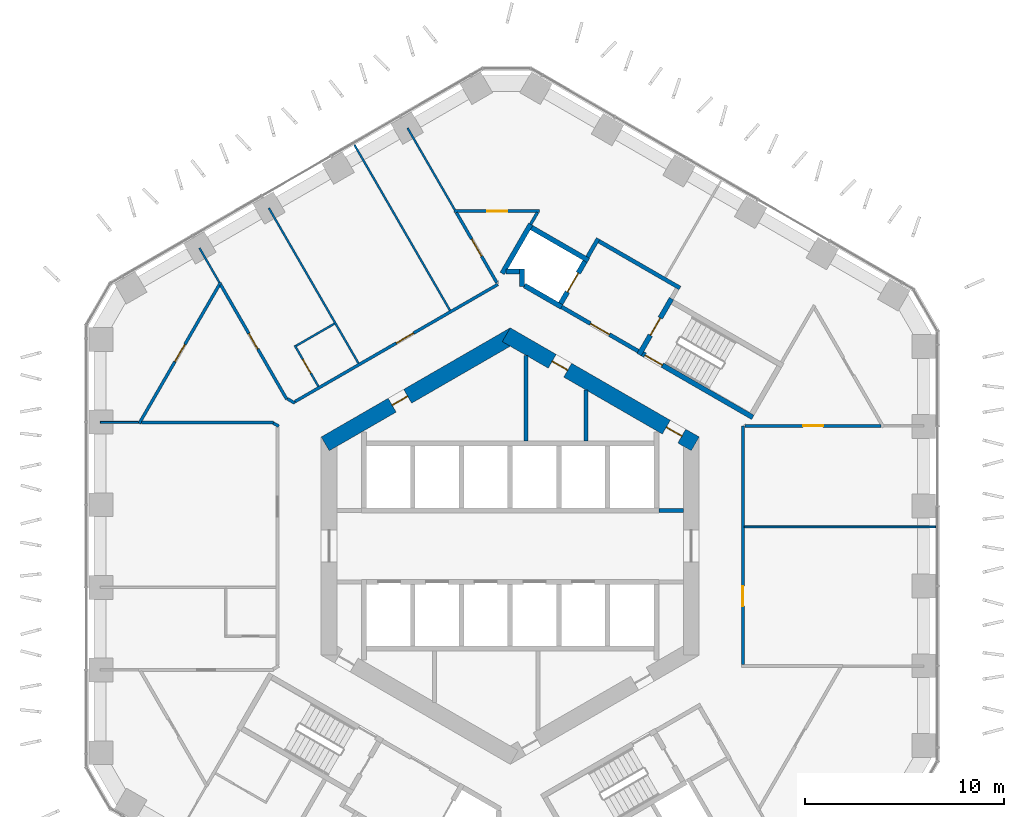
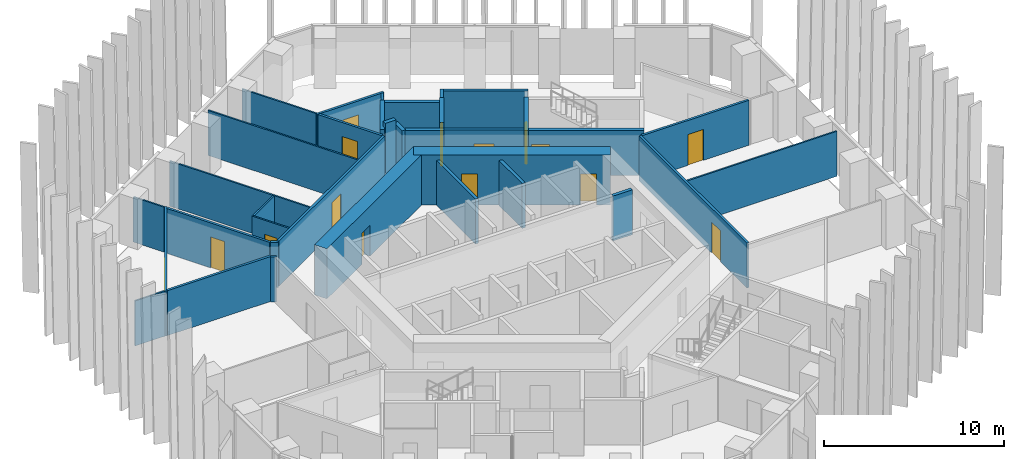
# One storey, part 15 of 20: 35 walls, 15 doors, 15 openings.
"""IFC4 building model written with IfcOpenShell, lengths in metres."""

from ifc_helpers import new_model, si_unit, direction, frame, frame_2d, origin, place, context, subcontext, project, spatial, rectangle, extrude, material, layer, layer_set, type_object, element, fill, save


model = new_model("IFC4")

# Units and contexts
model_context = context("Model", 3, precision=1e-05, world=origin(), true_north=direction((0.0, 1.0)))
body_context = subcontext(model_context, "Body", "Model", "MODEL_VIEW")
ifc_project = project(units=[si_unit("LENGTHUNIT", "METRE"), si_unit("AREAUNIT", "SQUARE_METRE"), si_unit("VOLUMEUNIT", "CUBIC_METRE"), si_unit("PLANEANGLEUNIT", "RADIAN"), si_unit("MASSUNIT", "GRAM", prefix="KILO")], contexts=[model_context])

# Site, building, storey
site_placement = place(None, origin())
site = spatial("IfcSite", under=ifc_project, at=site_placement, CompositionType="ELEMENT")
building_placement = place(site_placement, origin())
building = spatial("IfcBuilding", under=site, at=building_placement, Name="Ayvan Gate Tower", CompositionType="ELEMENT")
storey_placement = place(building_placement, frame((0.0, 0.0, 35.699951171875)))
storey = spatial("IfcBuildingStorey", under=building, at=storey_placement, Name="L08", CompositionType="ELEMENT", Elevation=35.699951171875)

# Wall, openings, doors
ifc_material_1 = material(Name="Concrete C70/85", Category="concrete")
ifc_layer_1 = layer(ifc_material_1, 0.800048828125)
ifc_layer_set_1 = layer_set([ifc_layer_1], Name="Concrete C70/85")
wall_type_1 = type_object("IfcWallType", Name="Core wall 800 C70/85", PredefinedType="SHEAR", material=ifc_layer_set_1)
wall_1_placement = place(storey_placement, frame((9.300048828125, 5.138427734375, 0.0), z_axis=(0.0, 0.0, 1.0), x_axis=(-0.866023993627, 0.500002442456, 0.0)))
wall_1 = element("IfcWall", 1, at=wall_1_placement, inside=storey, type_object=wall_type_1, Name="CORE-L08-1", PredefinedType="SHEAR", context=body_context, shape_type="SweptSolid", body=[
    extrude(rectangle(XDim=10.9697265625, YDim=0.800048828125, at=frame_2d((5.48486328125, 0.0))), origin(), (0.0, 0.0, 1.0), 3.400146484375),
])
opening_1_placement = place(wall_1_placement, frame((7.402587890625, 0.0, 0.0)))
opening_1 = element("IfcOpeningElement", 2, at=opening_1_placement, cuts=wall_1, Name="Opening L08-D38", PredefinedType="OPENING", context=body_context, shape_type="SweptSolid", body=[
    extrude(rectangle(XDim=0.89990234375, YDim=2.10009765625, at=frame_2d((0.449951171875, 1.050048828125))), frame((0.0, 0.409912109375, 0.0), z_axis=(0.0, -1.0, 0.0), x_axis=(1.0, 0.0, 0.0)), (0.0, 0.0, 1.0), 0.820068359375),
])
opening_2_placement = place(wall_1_placement, frame((0.779541015625, 0.0, 0.0)))
opening_2 = element("IfcOpeningElement", 3, at=opening_2_placement, cuts=wall_1, Name="Opening L08-D39", PredefinedType="OPENING", context=body_context, shape_type="SweptSolid", body=[
    extrude(rectangle(XDim=0.89990234375, YDim=2.10009765625, at=frame_2d((0.449951171875, 1.050048828125))), frame((0.0, 0.409912109375, 0.0), z_axis=(0.0, -1.0, 0.0), x_axis=(1.0, 0.0, 0.0)), (0.0, 0.0, 1.0), 0.820068359375),
])
ifc_material_2 = material(Name="Timber door leaf", Category="wood")
door_type_1 = type_object("IfcDoorType", Name="DT-900", OperationType="NOTDEFINED", PredefinedType="DOOR", material=ifc_material_2)
door_1_placement = place(opening_1_placement, origin())
door_1 = element("IfcDoor", 4, at=door_1_placement, inside=storey, type_object=door_type_1, Name="CD-L08-38", OperationType="SINGLE_SWING_RIGHT", OverallHeight=2.10009765625, OverallWidth=0.89990234375, PredefinedType="DOOR", context=body_context, shape_type="SweptSolid", body=[
    extrude(rectangle(XDim=0.89990234375, YDim=2.10009765625, at=frame_2d((0.449951171875, 1.050048828125))), frame((0.0, 0.02490234375, 0.0), z_axis=(0.0, -1.0, 0.0), x_axis=(1.0, 0.0, 0.0)), (0.0, 0.0, 1.0), 0.050048828125),
])
fill(opening_1, door_1)
door_2_placement = place(opening_2_placement, origin())
door_2 = element("IfcDoor", 5, at=door_2_placement, inside=storey, type_object=door_type_1, Name="CD-L08-39", OperationType="SINGLE_SWING_LEFT", OverallHeight=2.10009765625, OverallWidth=0.89990234375, PredefinedType="DOOR", context=body_context, shape_type="SweptSolid", body=[
    extrude(rectangle(XDim=0.89990234375, YDim=2.10009765625, at=frame_2d((0.449951171875, 1.050048828125))), frame((0.0, 0.02490234375, 0.0), z_axis=(0.0, -1.0, 0.0), x_axis=(1.0, 0.0, 0.0)), (0.0, 0.0, 1.0), 0.050048828125),
])
fill(opening_2, door_2)

# Wall, opening, door
wall_2_placement = place(storey_placement, frame((0.199951171875, 10.623291015625, 0.0), z_axis=(0.0, 0.0, 1.0), x_axis=(-0.866023993627, -0.500002442456, 0.0)))
wall_2 = element("IfcWall", 6, at=wall_2_placement, inside=storey, type_object=wall_type_1, Name="CORE-L08-2", PredefinedType="SHEAR", context=body_context, shape_type="SweptSolid", body=[
    extrude(rectangle(XDim=10.9697265625, YDim=0.800048828125, at=frame_2d((5.48486328125, 0.0))), origin(), (0.0, 0.0, 1.0), 3.400146484375),
])
opening_3_placement = place(wall_2_placement, frame((6.184814453125, 0.0, 0.0)))
opening_3 = element("IfcOpeningElement", 7, at=opening_3_placement, cuts=wall_2, Name="Opening L08-D37", PredefinedType="OPENING", context=body_context, shape_type="SweptSolid", body=[
    extrude(rectangle(XDim=0.89990234375, YDim=2.10009765625, at=frame_2d((0.449951171875, 1.050048828125))), frame((0.0, 0.409912109375, 0.0), z_axis=(0.0, -1.0, 0.0), x_axis=(1.0, 0.0, 0.0)), (0.0, 0.0, 1.0), 0.820068359375),
])
door_3_placement = place(opening_3_placement, origin())
door_3 = element("IfcDoor", 8, at=door_3_placement, inside=storey, type_object=door_type_1, Name="CD-L08-37", OperationType="SINGLE_SWING_LEFT", OverallHeight=2.10009765625, OverallWidth=0.89990234375, PredefinedType="DOOR", context=body_context, shape_type="SweptSolid", body=[
    extrude(rectangle(XDim=0.89990234375, YDim=2.10009765625, at=frame_2d((0.449951171875, 1.050048828125))), frame((0.0, 0.02490234375, 0.0), z_axis=(0.0, -1.0, 0.0), x_axis=(1.0, 0.0, 0.0)), (0.0, 0.0, 1.0), 0.050048828125),
])
fill(opening_3, door_3)

ifc_material_3 = material(Name="Plasterboard on steel stud", Category="steel")
ifc_layer_2 = layer(ifc_material_3, 0.14990234375)
ifc_layer_set_2 = layer_set([ifc_layer_2], Name="Plasterboard on steel stud")
wall_type_2 = type_object("IfcWallType", Name="WT-CORR-150", PredefinedType="PARTITIONING", material=ifc_layer_set_2)
wall_3_placement = place(storey_placement, frame((-18.6533203125, 6.157470703125, 0.0), z_axis=(0.0, 0.0, 1.0), x_axis=(0.499990428537, 0.866030929801, 0.0)))
wall_3 = element("IfcWall", 9, at=wall_3_placement, inside=storey, type_object=wall_type_2, Name="IW-L08-001", PredefinedType="PARTITIONING", context=body_context, shape_type="SweptSolid", body=[
    extrude(rectangle(XDim=8.201904296875, YDim=0.14990234375, at=frame_2d((4.10107421875, 0.0))), origin(), (0.0, 0.0, 1.0), 3.050048828125),
])
opening_4_placement = place(wall_3_placement, frame((3.60107421875, 0.0, 0.0)))
opening_4 = element("IfcOpeningElement", 10, at=opening_4_placement, cuts=wall_3, Name="Opening L08-D21", PredefinedType="OPENING", context=body_context, shape_type="SweptSolid", body=[
    extrude(rectangle(XDim=1.0, YDim=2.10009765625, at=frame_2d((0.5, 1.050048828125))), frame((0.0, 0.0849609375, 0.0), z_axis=(0.0, -1.0, 0.0), x_axis=(1.0, 0.0, 0.0)), (0.0, 0.0, 1.0), 0.169921875),
])
door_type_2 = type_object("IfcDoorType", Name="DT-1000", OperationType="NOTDEFINED", PredefinedType="DOOR", material=ifc_material_2)
door_4_placement = place(opening_4_placement, origin())
door_4 = element("IfcDoor", 11, at=door_4_placement, inside=storey, type_object=door_type_2, Name="ID-L08-021", OperationType="SINGLE_SWING_LEFT", OverallHeight=2.10009765625, OverallWidth=1.0, PredefinedType="DOOR", context=body_context, shape_type="SweptSolid", body=[
    extrude(rectangle(XDim=1.0, YDim=2.10009765625, at=frame_2d((0.5, 1.050048828125))), frame((0.0, 0.02490234375, 0.0), z_axis=(0.0, -1.0, 0.0), x_axis=(1.0, 0.0, 0.0)), (0.0, 0.0, 1.0), 0.050048828125),
])
fill(opening_4, door_4)

wall_4_placement = place(storey_placement, frame((-14.552490234375, 13.130615234375, 0.0), z_axis=(0.0, 0.0, 1.0), x_axis=(0.500011064058, -0.866019015853, 0.0)))
wall_4 = element("IfcWall", 12, at=wall_4_placement, inside=storey, type_object=wall_type_2, Name="IW-L08-009", PredefinedType="PARTITIONING", context=body_context, shape_type="SweptSolid", body=[
    extrude(rectangle(XDim=6.638916015625, YDim=0.14990234375, at=frame_2d((3.3193359375, 0.0))), origin(), (0.0, 0.0, 1.0), 3.050048828125),
])
opening_5_placement = place(wall_4_placement, frame((2.83203125, 0.0, 0.0)))
opening_5 = element("IfcOpeningElement", 13, at=opening_5_placement, cuts=wall_4, Name="Opening L08-D35", PredefinedType="OPENING", context=body_context, shape_type="SweptSolid", body=[
    extrude(rectangle(XDim=0.89990234375, YDim=2.10009765625, at=frame_2d((0.449951171875, 1.050048828125))), frame((0.0, 0.0849609375, 0.0), z_axis=(0.0, -1.0, 0.0), x_axis=(1.0, 0.0, 0.0)), (0.0, 0.0, 1.0), 0.169921875),
])
door_5_placement = place(opening_5_placement, origin())
door_5 = element("IfcDoor", 14, at=door_5_placement, inside=storey, type_object=door_type_1, Name="ID-L08-035", OperationType="SINGLE_SWING_LEFT", OverallHeight=2.10009765625, OverallWidth=0.89990234375, PredefinedType="DOOR", context=body_context, shape_type="SweptSolid", body=[
    extrude(rectangle(XDim=0.89990234375, YDim=2.10009765625, at=frame_2d((0.449951171875, 1.050048828125))), frame((0.0, 0.02490234375, 0.0), z_axis=(0.0, -1.0, 0.0), x_axis=(1.0, 0.0, 0.0)), (0.0, 0.0, 1.0), 0.050048828125),
])
fill(opening_5, door_5)

# Walls
wall_5_placement = place(storey_placement, frame((-11.902587890625, 6.222412109375, 0.0), z_axis=(0.0, 0.0, 1.0), x_axis=(-1.0, 0.0, 0.0)))
element("IfcWall", 15, at=wall_5_placement, inside=storey, type_object=wall_type_2, Name="IW-L08-016", PredefinedType="PARTITIONING", context=body_context, shape_type="SweptSolid", body=[
    extrude(rectangle(XDim=6.638427734375, YDim=0.14990234375, at=frame_2d((3.3193359375, 0.0))), origin(), (0.0, 0.0, 1.0), 3.050048828125),
])
wall_6_placement = place(storey_placement, frame((-11.635009765625, 6.024658203125, 0.0), z_axis=(0.0, 0.0, 1.0), x_axis=(-0.866172903102, 0.499744436618, 0.0)))
element("IfcWall", 16, at=wall_6_placement, inside=storey, type_object=wall_type_2, Name="IW-L08-018", PredefinedType="PARTITIONING", context=body_context, shape_type="SweptSolid", body=[
    extrude(rectangle(XDim=0.320556640625, YDim=0.14990234375, at=frame_2d((0.16015625, 0.0))), origin(), (0.0, 0.0, 1.0), 3.050048828125),
])
wall_7_placement = place(storey_placement, frame((-11.205810546875, 7.407958984375, 0.0), z_axis=(0.0, 0.0, 1.0), x_axis=(0.860849270889, -0.508860032631, 0.0)))
element("IfcWall", 17, at=wall_7_placement, inside=storey, type_object=wall_type_2, Name="IW-L08-020", PredefinedType="PARTITIONING", context=body_context, shape_type="SweptSolid", body=[
    extrude(rectangle(XDim=0.4404296875, YDim=0.14990234375, at=frame_2d((0.22021484375, 0.0))), origin(), (0.0, 0.0, 1.0), 3.050048828125),
])

# Wall, opening, door
wall_8_placement = place(storey_placement, frame((-10.826171875, 7.259521484375, 0.0), z_axis=(0.0, 0.0, 1.0), x_axis=(0.866022388473, 0.500005222637, 0.0)))
wall_8 = element("IfcWall", 18, at=wall_8_placement, inside=storey, type_object=wall_type_2, Name="IW-L08-022", PredefinedType="PARTITIONING", context=body_context, shape_type="SweptSolid", body=[
    extrude(rectangle(XDim=11.783447265625, YDim=0.14990234375, at=frame_2d((5.8916015625, 0.0))), origin(), (0.0, 0.0, 1.0), 3.050048828125),
])
opening_6_placement = place(wall_8_placement, frame((5.889892578125, 0.0, 0.0)))
opening_6 = element("IfcOpeningElement", 19, at=opening_6_placement, cuts=wall_8, Name="Opening L08-D34", PredefinedType="OPENING", context=body_context, shape_type="SweptSolid", body=[
    extrude(rectangle(XDim=1.0, YDim=2.10009765625, at=frame_2d((0.5, 1.050048828125))), frame((0.0, 0.0849609375, 0.0), z_axis=(0.0, -1.0, 0.0), x_axis=(1.0, 0.0, 0.0)), (0.0, 0.0, 1.0), 0.169921875),
])
door_6_placement = place(opening_6_placement, origin())
door_6 = element("IfcDoor", 20, at=door_6_placement, inside=storey, type_object=door_type_2, Name="ID-L08-034", OperationType="SINGLE_SWING_RIGHT", OverallHeight=2.10009765625, OverallWidth=1.0, PredefinedType="DOOR", context=body_context, shape_type="SweptSolid", body=[
    extrude(rectangle(XDim=1.0, YDim=2.10009765625, at=frame_2d((0.5, 1.050048828125))), frame((0.0, 0.02490234375, 0.0), z_axis=(0.0, -1.0, 0.0), x_axis=(1.0, 0.0, 0.0)), (0.0, 0.0, 1.0), 0.050048828125),
])
fill(opening_6, door_6)

wall_9_placement = place(storey_placement, frame((-2.822265625, 16.8330078125, 0.0), z_axis=(0.0, 0.0, 1.0), x_axis=(1.0, 0.0, 0.0)))
wall_9 = element("IfcWall", 21, at=wall_9_placement, inside=storey, type_object=wall_type_2, Name="IW-L08-052", PredefinedType="PARTITIONING", context=body_context, shape_type="SweptSolid", body=[
    extrude(rectangle(XDim=4.302001953125, YDim=0.14990234375, at=frame_2d((2.15087890625, 0.0))), origin(), (0.0, 0.0, 1.0), 3.050048828125),
])
opening_7_placement = place(wall_9_placement, frame((1.668212890625, 0.0, 0.0)))
opening_7 = element("IfcOpeningElement", 22, at=opening_7_placement, cuts=wall_9, Name="Opening L08-D20", PredefinedType="OPENING", context=body_context, shape_type="SweptSolid", body=[
    extrude(rectangle(XDim=1.0, YDim=2.10009765625, at=frame_2d((0.5, 1.050048828125))), frame((0.0, 0.0849609375, 0.0), z_axis=(0.0, -1.0, 0.0), x_axis=(1.0, 0.0, 0.0)), (0.0, 0.0, 1.0), 0.169921875),
])
door_7_placement = place(opening_7_placement, origin())
door_7 = element("IfcDoor", 23, at=door_7_placement, inside=storey, type_object=door_type_2, Name="ID-L08-020", OperationType="SINGLE_SWING_RIGHT", OverallHeight=2.10009765625, OverallWidth=1.0, PredefinedType="DOOR", context=body_context, shape_type="SweptSolid", body=[
    extrude(rectangle(XDim=1.0, YDim=2.10009765625, at=frame_2d((0.5, 1.050048828125))), frame((0.0, 0.02490234375, 0.0), z_axis=(0.0, -1.0, 0.0), x_axis=(1.0, 0.0, 0.0)), (0.0, 0.0, 1.0), 0.050048828125),
])
fill(opening_7, door_7)

wall_10_placement = place(storey_placement, frame((-0.671142578125, 13.2373046875, 0.0), z_axis=(0.0, 0.0, 1.0), x_axis=(-0.499990257196, 0.866031028722, 0.0)))
wall_10 = element("IfcWall", 24, at=wall_10_placement, inside=storey, type_object=wall_type_2, Name="IW-L08-059", PredefinedType="PARTITIONING", context=body_context, shape_type="SweptSolid", body=[
    extrude(rectangle(XDim=4.0771484375, YDim=0.14990234375, at=frame_2d((2.03857421875, 0.0))), origin(), (0.0, 0.0, 1.0), 3.050048828125),
])
opening_8_placement = place(wall_10_placement, frame((1.53857421875, 0.0, 0.0)))
opening_8 = element("IfcOpeningElement", 25, at=opening_8_placement, cuts=wall_10, Name="Opening L08-D33", PredefinedType="OPENING", context=body_context, shape_type="SweptSolid", body=[
    extrude(rectangle(XDim=1.0, YDim=2.10009765625, at=frame_2d((0.5, 1.050048828125))), frame((0.0, 0.0849609375, 0.0), z_axis=(0.0, -1.0, 0.0), x_axis=(1.0, 0.0, 0.0)), (0.0, 0.0, 1.0), 0.169921875),
])
door_8_placement = place(opening_8_placement, origin())
door_8 = element("IfcDoor", 26, at=door_8_placement, inside=storey, type_object=door_type_2, Name="ID-L08-033", OperationType="SINGLE_SWING_LEFT", OverallHeight=2.10009765625, OverallWidth=1.0, PredefinedType="DOOR", context=body_context, shape_type="SweptSolid", body=[
    extrude(rectangle(XDim=1.0, YDim=2.10009765625, at=frame_2d((0.5, 1.050048828125))), frame((0.0, 0.02490234375, 0.0), z_axis=(0.0, -1.0, 0.0), x_axis=(1.0, 0.0, 0.0)), (0.0, 0.0, 1.0), 0.050048828125),
])
fill(opening_8, door_8)

# Wall
wall_11_placement = place(storey_placement, frame((1.3671875, 16.768310546875, 0.0), z_axis=(0.0, 0.0, 1.0), x_axis=(-0.499805281321, -0.866137795483, 0.0)))
element("IfcWall", 27, at=wall_11_placement, inside=storey, type_object=wall_type_2, Name="IW-L08-071", PredefinedType="PARTITIONING", context=body_context, shape_type="SweptSolid", body=[
    extrude(rectangle(XDim=0.680419921875, YDim=0.14990234375, at=frame_2d((0.34033203125, 0.0))), origin(), (0.0, 0.0, 1.0), 3.050048828125),
])

# Wall, opening, door
wall_12_placement = place(storey_placement, frame((11.699951171875, -5.96240234375, 0.0), z_axis=(0.0, 0.0, 1.0), x_axis=(0.0, 1.0, 0.0)))
wall_12 = element("IfcWall", 28, at=wall_12_placement, inside=storey, type_object=wall_type_2, Name="IW-L08-106", PredefinedType="PARTITIONING", context=body_context, shape_type="SweptSolid", body=[
    extrude(rectangle(XDim=12.0, YDim=0.14990234375, at=frame_2d((6.0, 0.0))), origin(), (0.0, 0.0, 1.0), 3.050048828125),
])
opening_9_placement = place(wall_12_placement, frame((2.94921875, 0.0, 0.0)))
opening_9 = element("IfcOpeningElement", 29, at=opening_9_placement, cuts=wall_12, Name="Opening L08-D17", PredefinedType="OPENING", context=body_context, shape_type="SweptSolid", body=[
    extrude(rectangle(XDim=1.0, YDim=2.10009765625, at=frame_2d((0.5, 1.050048828125))), frame((0.0, 0.0849609375, 0.0), z_axis=(0.0, -1.0, 0.0), x_axis=(1.0, 0.0, 0.0)), (0.0, 0.0, 1.0), 0.169921875),
])
door_9_placement = place(opening_9_placement, origin())
door_9 = element("IfcDoor", 30, at=door_9_placement, inside=storey, type_object=door_type_2, Name="ID-L08-017", OperationType="SINGLE_SWING_LEFT", OverallHeight=2.10009765625, OverallWidth=1.0, PredefinedType="DOOR", context=body_context, shape_type="SweptSolid", body=[
    extrude(rectangle(XDim=1.0, YDim=2.10009765625, at=frame_2d((0.5, 1.050048828125))), frame((0.0, 0.02490234375, 0.0), z_axis=(0.0, -1.0, 0.0), x_axis=(1.0, 0.0, 0.0)), (0.0, 0.0, 1.0), 0.050048828125),
])
fill(opening_9, door_9)

wall_13_placement = place(storey_placement, frame((18.647705078125, 6.037353515625, 0.0), z_axis=(0.0, 0.0, 1.0), x_axis=(-1.0, 0.0, 0.0)))
wall_13 = element("IfcWall", 31, at=wall_13_placement, inside=storey, type_object=wall_type_2, Name="IW-L08-116", PredefinedType="PARTITIONING", context=body_context, shape_type="SweptSolid", body=[
    extrude(rectangle(XDim=6.84814453125, YDim=0.14990234375, at=frame_2d((3.424072265625, 0.0))), origin(), (0.0, 0.0, 1.0), 3.050048828125),
])
opening_10_placement = place(wall_13_placement, frame((2.924072265625, 0.0, 0.0)))
opening_10 = element("IfcOpeningElement", 32, at=opening_10_placement, cuts=wall_13, Name="Opening L08-D18", PredefinedType="OPENING", context=body_context, shape_type="SweptSolid", body=[
    extrude(rectangle(XDim=1.0, YDim=2.10009765625, at=frame_2d((0.5, 1.050048828125))), frame((0.0, 0.0849609375, 0.0), z_axis=(0.0, -1.0, 0.0), x_axis=(1.0, 0.0, 0.0)), (0.0, 0.0, 1.0), 0.169921875),
])
door_10_placement = place(opening_10_placement, origin())
door_10 = element("IfcDoor", 33, at=door_10_placement, inside=storey, type_object=door_type_2, Name="ID-L08-018", OperationType="SINGLE_SWING_RIGHT", OverallHeight=2.10009765625, OverallWidth=1.0, PredefinedType="DOOR", context=body_context, shape_type="SweptSolid", body=[
    extrude(rectangle(XDim=1.0, YDim=2.10009765625, at=frame_2d((0.5, 1.050048828125))), frame((0.0, 0.02490234375, 0.0), z_axis=(0.0, -1.0, 0.0), x_axis=(1.0, 0.0, 0.0)), (0.0, 0.0, 1.0), 0.050048828125),
])
fill(opening_10, door_10)

# Walls
ifc_layer_3 = layer(ifc_material_3, 0.10009765625)
ifc_layer_set_3 = layer_set([ifc_layer_3], Name="Plasterboard on steel stud")
wall_type_3 = type_object("IfcWallType", Name="WT-PART-100", PredefinedType="PARTITIONING", material=ifc_layer_set_3)
wall_14_placement = place(storey_placement, frame((-18.69091796875, 6.222412109375, 0.0), z_axis=(0.0, 0.0, 1.0), x_axis=(-1.0, 0.0, 0.0)))
element("IfcWall", 34, at=wall_14_placement, inside=storey, type_object=wall_type_3, Name="IW-L08-000", PredefinedType="PARTITIONING", context=body_context, shape_type="SweptSolid", body=[
    extrude(rectangle(XDim=1.915771484375, YDim=0.10009765625, at=frame_2d((0.9580078125, 0.0))), origin(), (0.0, 0.0, 1.0), 3.050048828125),
])
wall_15_placement = place(storey_placement, frame((-15.620849609375, 14.981201171875, 0.0), z_axis=(0.0, 0.0, 1.0), x_axis=(0.499984821847, -0.866034166718, 0.0)))
element("IfcWall", 35, at=wall_15_placement, inside=storey, type_object=wall_type_3, Name="IW-L08-004", PredefinedType="PARTITIONING", context=body_context, shape_type="SweptSolid", body=[
    extrude(rectangle(XDim=1.98681640625, YDim=0.10009765625, at=frame_2d((0.993408203125, 0.0))), origin(), (0.0, 0.0, 1.0), 3.050048828125),
])

# Wall, opening, door
wall_16_placement = place(storey_placement, frame((-10.831298828125, 10.085693359375, 0.0), z_axis=(0.0, 0.0, 1.0), x_axis=(0.499986429846, -0.866033238375, 0.0)))
wall_16 = element("IfcWall", 36, at=wall_16_placement, inside=storey, type_object=wall_type_3, Name="IW-L08-024", PredefinedType="PARTITIONING", context=body_context, shape_type="SweptSolid", body=[
    extrude(rectangle(XDim=2.375, YDim=0.10009765625, at=frame_2d((1.1875, 0.0))), origin(), (0.0, 0.0, 1.0), 3.050048828125),
])
opening_11_placement = place(wall_16_placement, frame((0.8125, 0.0, 0.0)))
opening_11 = element("IfcOpeningElement", 37, at=opening_11_placement, cuts=wall_16, Name="Opening L08-D36", PredefinedType="OPENING", context=body_context, shape_type="SweptSolid", body=[
    extrude(rectangle(XDim=0.800048828125, YDim=2.10009765625, at=frame_2d((0.39990234375, 1.050048828125))), frame((0.0, 0.06005859375, 0.0), z_axis=(0.0, -1.0, 0.0), x_axis=(1.0, 0.0, 0.0)), (0.0, 0.0, 1.0), 0.1201171875),
])
door_type_3 = type_object("IfcDoorType", Name="DT-800", OperationType="NOTDEFINED", PredefinedType="DOOR", material=ifc_material_2)
door_11_placement = place(opening_11_placement, origin())
door_11 = element("IfcDoor", 38, at=door_11_placement, inside=storey, type_object=door_type_3, Name="ID-L08-036", OperationType="SINGLE_SWING_RIGHT", OverallHeight=2.10009765625, OverallWidth=0.800048828125, PredefinedType="DOOR", context=body_context, shape_type="SweptSolid", body=[
    extrude(rectangle(XDim=0.800048828125, YDim=2.10009765625, at=frame_2d((0.39990234375, 1.050048828125))), frame((0.0, 0.02490234375, 0.0), z_axis=(0.0, -1.0, 0.0), x_axis=(1.0, 0.0, 0.0)), (0.0, 0.0, 1.0), 0.050048828125),
])
fill(opening_11, door_11)

# Walls
wall_17_placement = place(storey_placement, frame((-8.836181640625, 11.1796875, 0.0), z_axis=(0.0, 0.0, 1.0), x_axis=(-0.865999189711, -0.500045401358, 0.0)))
element("IfcWall", 39, at=wall_17_placement, inside=storey, type_object=wall_type_3, Name="IW-L08-027", PredefinedType="PARTITIONING", context=body_context, shape_type="SweptSolid", body=[
    extrude(rectangle(XDim=2.224853515625, YDim=0.10009765625, at=frame_2d((1.1123046875, 0.0))), origin(), (0.0, 0.0, 1.0), 3.050048828125),
])
wall_18_placement = place(storey_placement, frame((-12.13525390625, 16.993896484375, 0.0), z_axis=(0.0, 0.0, 1.0), x_axis=(0.499997670926, -0.866026748472, 0.0)))
element("IfcWall", 40, at=wall_18_placement, inside=storey, type_object=wall_type_3, Name="IW-L08-028", PredefinedType="PARTITIONING", context=body_context, shape_type="SweptSolid", body=[
    extrude(rectangle(XDim=9.009765625, YDim=0.10009765625, at=frame_2d((4.5048828125, 0.0))), origin(), (0.0, 0.0, 1.0), 3.050048828125),
])
wall_19_placement = place(storey_placement, frame((-3.029296875, 11.84765625, 0.0), z_axis=(0.0, 0.0, 1.0), x_axis=(-0.49998793222, 0.866032371008, 0.0)))
element("IfcWall", 41, at=wall_19_placement, inside=storey, type_object=wall_type_3, Name="IW-L08-050", PredefinedType="PARTITIONING", context=body_context, shape_type="SweptSolid", body=[
    extrude(rectangle(XDim=9.605712890625, YDim=0.10009765625, at=frame_2d((4.802734375, 0.0))), origin(), (0.0, 0.0, 1.0), 3.050048828125),
])
wall_20_placement = place(storey_placement, frame((-2.78466796875, 16.898193359375, 0.0), z_axis=(0.0, 0.0, 1.0), x_axis=(-0.500018554574, 0.866014691031, 0.0)))
element("IfcWall", 42, at=wall_20_placement, inside=storey, type_object=wall_type_3, Name="IW-L08-051", PredefinedType="PARTITIONING", context=body_context, shape_type="SweptSolid", body=[
    extrude(rectangle(XDim=4.758056640625, YDim=0.10009765625, at=frame_2d((2.37890625, 0.0))), origin(), (0.0, 0.0, 1.0), 3.050048828125),
])
wall_21_placement = place(storey_placement, frame((11.77490234375, 0.966064453125, 0.0), z_axis=(0.0, 0.0, 1.0), x_axis=(1.0, 0.0, 0.0)))
element("IfcWall", 43, at=wall_21_placement, inside=storey, type_object=wall_type_3, Name="IW-L08-107", PredefinedType="PARTITIONING", context=body_context, shape_type="SweptSolid", body=[
    extrude(rectangle(XDim=9.605712890625, YDim=0.10009765625, at=frame_2d((4.802734375, 0.0))), origin(), (0.0, 0.0, 1.0), 3.050048828125),
])
ifc_layer_4 = layer(ifc_material_3, 0.199951171875)
ifc_layer_set_4 = layer_set([ifc_layer_4], Name="Plasterboard on steel stud")
wall_type_4 = type_object("IfcWallType", Name="WT-RATED-200", PredefinedType="PARTITIONING", material=ifc_layer_set_4)
wall_22_placement = place(storey_placement, frame((0.800048828125, 9.583984375, 0.0), z_axis=(0.0, 0.0, 1.0), x_axis=(0.0, -1.0, 0.0)))
element("IfcWall", 44, at=wall_22_placement, inside=storey, type_object=wall_type_4, Name="IW-L08-068", PredefinedType="PARTITIONING", context=body_context, shape_type="SweptSolid", body=[
    extrude(rectangle(XDim=4.30908203125, YDim=0.199951171875, at=frame_2d((2.154541015625, 0.0))), origin(), (0.0, 0.0, 1.0), 3.050048828125),
])
wall_23_placement = place(storey_placement, frame((3.800048828125, 7.85205078125, 0.0), z_axis=(0.0, 0.0, 1.0), x_axis=(0.0, -1.0, 0.0)))
element("IfcWall", 45, at=wall_23_placement, inside=storey, type_object=wall_type_4, Name="IW-L08-079", PredefinedType="PARTITIONING", context=body_context, shape_type="SweptSolid", body=[
    extrude(rectangle(XDim=2.5771484375, YDim=0.199951171875, at=frame_2d((1.28857421875, 0.0))), origin(), (0.0, 0.0, 1.0), 3.050048828125),
])
wall_24_placement = place(storey_placement, frame((3.885009765625, 14.52880859375, 0.0), z_axis=(0.0, 0.0, 1.0), x_axis=(0.499997628298, 0.866026773083, 0.0)))
element("IfcWall", 46, at=wall_24_placement, inside=storey, type_object=wall_type_4, Name="IW-L08-080", PredefinedType="PARTITIONING", context=body_context, shape_type="SweptSolid", body=[
    extrude(rectangle(XDim=1.0751953125, YDim=0.199951171875, at=frame_2d((0.53759765625, 0.0))), origin(), (0.0, 0.0, 1.0), 3.050048828125),
])
wall_25_placement = place(storey_placement, frame((4.458984375, 15.323486328125, 0.0), z_axis=(0.0, 0.0, 1.0), x_axis=(0.866016039709, -0.500016218704, 0.0)))
element("IfcWall", 47, at=wall_25_placement, inside=storey, type_object=wall_type_4, Name="IW-L08-083", PredefinedType="PARTITIONING", context=body_context, shape_type="SweptSolid", body=[
    extrude(rectangle(XDim=4.699951171875, YDim=0.199951171875, at=frame_2d((2.35009765625, 0.0))), origin(), (0.0, 0.0, 1.0), 3.050048828125),
])

# Wall, opening, door
wall_26_placement = place(storey_placement, frame((6.4345703125, 9.794921875, 0.0), z_axis=(0.0, 0.0, 1.0), x_axis=(-0.866012907634, 0.500021643343, 0.0)))
wall_26 = element("IfcWall", 48, at=wall_26_placement, inside=storey, type_object=wall_type_4, Name="IW-L08-086", PredefinedType="PARTITIONING", context=body_context, shape_type="SweptSolid", body=[
    extrude(rectangle(XDim=4.449951171875, YDim=0.199951171875, at=frame_2d((2.22509765625, 0.0))), origin(), (0.0, 0.0, 1.0), 3.050048828125),
])
opening_12_placement = place(wall_26_placement, frame((1.675048828125, 0.0, 0.0)))
opening_12 = element("IfcOpeningElement", 49, at=opening_12_placement, cuts=wall_26, Name="Opening L08-D08", PredefinedType="OPENING", context=body_context, shape_type="SweptSolid", body=[
    extrude(rectangle(XDim=1.10009765625, YDim=2.10009765625, at=frame_2d((0.550048828125, 1.050048828125))), frame((0.0, 0.10986328125, 0.0), z_axis=(0.0, -1.0, 0.0), x_axis=(1.0, 0.0, 0.0)), (0.0, 0.0, 1.0), 0.219970703125),
])
door_type_4 = type_object("IfcDoorType", Name="DT-1100", OperationType="NOTDEFINED", PredefinedType="DOOR", material=ifc_material_2)
door_12_placement = place(opening_12_placement, origin())
door_12 = element("IfcDoor", 50, at=door_12_placement, inside=storey, type_object=door_type_4, Name="ID-L08-008", OperationType="SINGLE_SWING_RIGHT", OverallHeight=2.10009765625, OverallWidth=1.10009765625, PredefinedType="DOOR", context=body_context, shape_type="SweptSolid", body=[
    extrude(rectangle(XDim=1.10009765625, YDim=2.10009765625, at=frame_2d((0.550048828125, 1.050048828125))), frame((0.0, 0.02490234375, 0.0), z_axis=(0.0, -1.0, 0.0), x_axis=(1.0, 0.0, 0.0)), (0.0, 0.0, 1.0), 0.050048828125),
])
fill(opening_12, door_12)

# Walls
wall_27_placement = place(storey_placement, frame((7.474853515625, 1.800048828125, 0.0), z_axis=(0.0, 0.0, 1.0), x_axis=(1.0, 0.0, 0.0)))
element("IfcWall", 51, at=wall_27_placement, inside=storey, type_object=wall_type_4, Name="IW-L08-091", PredefinedType="PARTITIONING", context=body_context, shape_type="SweptSolid", body=[
    extrude(rectangle(XDim=1.22509765625, YDim=0.199951171875, at=frame_2d((0.612548828125, 0.0))), origin(), (0.0, 0.0, 1.0), 3.050048828125),
])
ifc_material_4 = material(Name="Concrete C50/60", Category="concrete")
ifc_layer_5 = layer(ifc_material_4, 0.25)
ifc_layer_set_5 = layer_set([ifc_layer_5], Name="Concrete C50/60")
wall_type_5 = type_object("IfcWallType", Name="WT-RC-250", PredefinedType="SHEAR", material=ifc_layer_set_5)
wall_28_placement = place(storey_placement, frame((-0.403076171875, 13.70166015625, 0.0), z_axis=(0.0, 0.0, 1.0), x_axis=(0.499976111731, 0.866039195244, 0.0)))
element("IfcWall", 52, at=wall_28_placement, inside=storey, type_object=wall_type_5, Name="IW-L08-062", PredefinedType="SHEAR", context=body_context, shape_type="SweptSolid", body=[
    extrude(rectangle(XDim=2.860595703125, YDim=0.25, at=frame_2d((1.43017578125, 0.0))), origin(), (0.0, 0.0, 1.0), 3.050048828125),
])
wall_29_placement = place(storey_placement, frame((0.60009765625, 13.03857421875, 0.0), z_axis=(0.0, 0.0, 1.0), x_axis=(0.0, 1.0, 0.0)))
element("IfcWall", 53, at=wall_29_placement, inside=storey, type_object=wall_type_5, Name="IW-L08-066", PredefinedType="SHEAR", context=body_context, shape_type="SweptSolid", body=[
    extrude(rectangle(XDim=0.896484375, YDim=0.25, at=frame_2d((0.4482421875, 0.0))), origin(), (0.0, 0.0, 1.0), 3.050048828125),
])
wall_30_placement = place(storey_placement, frame((0.47509765625, 13.81005859375, 0.0), z_axis=(0.0, 0.0, 1.0), x_axis=(-1.0, 0.0, 0.0)))
element("IfcWall", 54, at=wall_30_placement, inside=storey, type_object=wall_type_5, Name="IW-L08-067", PredefinedType="SHEAR", context=body_context, shape_type="SweptSolid", body=[
    extrude(rectangle(XDim=0.690673828125, YDim=0.25, at=frame_2d((0.34521484375, 0.0))), origin(), (0.0, 0.0, 1.0), 3.400146484375),
])
wall_31_placement = place(storey_placement, frame((1.072998046875, 16.00830078125, 0.0), z_axis=(0.0, 0.0, 1.0), x_axis=(0.866040211805, -0.499974350878, 0.0)))
element("IfcWall", 55, at=wall_31_placement, inside=storey, type_object=wall_type_5, Name="IW-L08-069", PredefinedType="SHEAR", context=body_context, shape_type="SweptSolid", body=[
    extrude(rectangle(XDim=3.300048828125, YDim=0.25, at=frame_2d((1.64990234375, 0.0))), origin(), (0.0, 0.0, 1.0), 3.050048828125),
])
wall_32_placement = place(storey_placement, frame((2.580810546875, 12.02001953125, 0.0), z_axis=(0.0, 0.0, 1.0), x_axis=(-0.86603892542, 0.499976579108, 0.0)))
element("IfcWall", 56, at=wall_32_placement, inside=storey, type_object=wall_type_5, Name="IW-L08-075", PredefinedType="SHEAR", context=body_context, shape_type="SweptSolid", body=[
    extrude(rectangle(XDim=2.162109375, YDim=0.25, at=frame_2d((1.0810546875, 0.0))), origin(), (0.0, 0.0, 1.0), 3.050048828125),
])

# Wall, opening, door
wall_33_placement = place(storey_placement, frame((2.534912109375, 12.19091796875, 0.0), z_axis=(0.0, 0.0, 1.0), x_axis=(0.500061746146, 0.865989751695, 0.0)))
wall_33 = element("IfcWall", 57, at=wall_33_placement, inside=storey, type_object=wall_type_5, Name="IW-L08-076", PredefinedType="SHEAR", context=body_context, shape_type="SweptSolid", body=[
    extrude(rectangle(XDim=2.449951171875, YDim=0.25, at=frame_2d((1.22509765625, 0.0))), origin(), (0.0, 0.0, 1.0), 3.400146484375),
])
opening_13_placement = place(wall_33_placement, frame((0.675048828125, 0.0, 0.0)))
opening_13 = element("IfcOpeningElement", 58, at=opening_13_placement, cuts=wall_33, Name="Opening L08-LD-FF1", PredefinedType="OPENING", context=body_context, shape_type="SweptSolid", body=[
    extrude(rectangle(XDim=1.10009765625, YDim=2.10009765625, at=frame_2d((0.550048828125, 1.050048828125))), frame((0.0, 0.135009765625, 0.0), z_axis=(0.0, -1.0, 0.0), x_axis=(1.0, 0.0, 0.0)), (0.0, 0.0, 1.0), 0.27001953125),
])
ifc_material_5 = material(Name="Stainless steel landing door", Category="steel")
door_type_5 = type_object("IfcDoorType", Name="DT-LANDING-1100", OperationType="SLIDING_TO_LEFT", PredefinedType="DOOR", material=ifc_material_5)
door_13_placement = place(opening_13_placement, origin())
door_13 = element("IfcDoor", 59, at=door_13_placement, inside=storey, type_object=door_type_5, Name="ID-L08-009", OperationType="SLIDING_TO_LEFT", OverallHeight=2.10009765625, OverallWidth=1.10009765625, PredefinedType="DOOR", context=body_context, shape_type="SweptSolid", body=[
    extrude(rectangle(XDim=1.10009765625, YDim=2.10009765625, at=frame_2d((0.550048828125, 1.050048828125))), frame((0.0, 0.02490234375, 0.0), z_axis=(0.0, -1.0, 0.0), x_axis=(1.0, 0.0, 0.0)), (0.0, 0.0, 1.0), 0.050048828125),
])
fill(opening_13, door_13)

wall_34_placement = place(storey_placement, frame((6.480224609375, 9.624267578125, 0.0), z_axis=(0.0, 0.0, 1.0), x_axis=(0.500017246033, 0.866015446554, 0.0)))
wall_34 = element("IfcWall", 60, at=wall_34_placement, inside=storey, type_object=wall_type_5, Name="IW-L08-087", PredefinedType="SHEAR", context=body_context, shape_type="SweptSolid", body=[
    extrude(rectangle(XDim=3.25, YDim=0.25, at=frame_2d((1.625, 0.0))), origin(), (0.0, 0.0, 1.0), 3.050048828125),
])
opening_14_placement = place(wall_34_placement, frame((1.125, 0.0, 0.0)))
opening_14 = element("IfcOpeningElement", 61, at=opening_14_placement, cuts=wall_34, Name="Opening L08-D07", PredefinedType="OPENING", context=body_context, shape_type="SweptSolid", body=[
    extrude(rectangle(XDim=1.0, YDim=2.10009765625, at=frame_2d((0.5, 1.050048828125))), frame((0.0, 0.135009765625, 0.0), z_axis=(0.0, -1.0, 0.0), x_axis=(1.0, 0.0, 0.0)), (0.0, 0.0, 1.0), 0.27001953125),
])
door_14_placement = place(opening_14_placement, origin())
door_14 = element("IfcDoor", 62, at=door_14_placement, inside=storey, type_object=door_type_2, Name="ID-L08-007", OperationType="SINGLE_SWING_LEFT", OverallHeight=2.10009765625, OverallWidth=1.0, PredefinedType="DOOR", context=body_context, shape_type="SweptSolid", body=[
    extrude(rectangle(XDim=1.0, YDim=2.10009765625, at=frame_2d((0.5, 1.050048828125))), frame((0.0, 0.02490234375, 0.0), z_axis=(0.0, -1.0, 0.0), x_axis=(1.0, 0.0, 0.0)), (0.0, 0.0, 1.0), 0.050048828125),
])
fill(opening_14, door_14)

wall_35_placement = place(storey_placement, frame((12.193603515625, 6.469970703125, 0.0), z_axis=(0.0, 0.0, 1.0), x_axis=(-0.866025499775, 0.499999833739, 0.0)))
wall_35 = element("IfcWall", 63, at=wall_35_placement, inside=storey, type_object=wall_type_5, Name="IW-L08-108", PredefinedType="SHEAR", context=body_context, shape_type="SweptSolid", body=[
    extrude(rectangle(XDim=6.39990234375, YDim=0.25, at=frame_2d((3.199951171875, 0.0))), origin(), (0.0, 0.0, 1.0), 3.050048828125),
])
opening_15_placement = place(wall_35_placement, frame((5.25, 0.0, 0.0)))
opening_15 = element("IfcOpeningElement", 64, at=opening_15_placement, cuts=wall_35, Name="Opening L08-D06", PredefinedType="OPENING", context=body_context, shape_type="SweptSolid", body=[
    extrude(rectangle(XDim=1.0, YDim=2.10009765625, at=frame_2d((0.5, 1.050048828125))), frame((0.0, 0.135009765625, 0.0), z_axis=(0.0, -1.0, 0.0), x_axis=(1.0, 0.0, 0.0)), (0.0, 0.0, 1.0), 0.27001953125),
])
door_15_placement = place(opening_15_placement, origin())
door_15 = element("IfcDoor", 65, at=door_15_placement, inside=storey, type_object=door_type_2, Name="ID-L08-006", OperationType="SINGLE_SWING_RIGHT", OverallHeight=2.10009765625, OverallWidth=1.0, PredefinedType="DOOR", context=body_context, shape_type="SweptSolid", body=[
    extrude(rectangle(XDim=1.0, YDim=2.10009765625, at=frame_2d((0.5, 1.050048828125))), frame((0.0, 0.02490234375, 0.0), z_axis=(0.0, -1.0, 0.0), x_axis=(1.0, 0.0, 0.0)), (0.0, 0.0, 1.0), 0.050048828125),
])
fill(opening_15, door_15)

save(model, "model.ifc")
